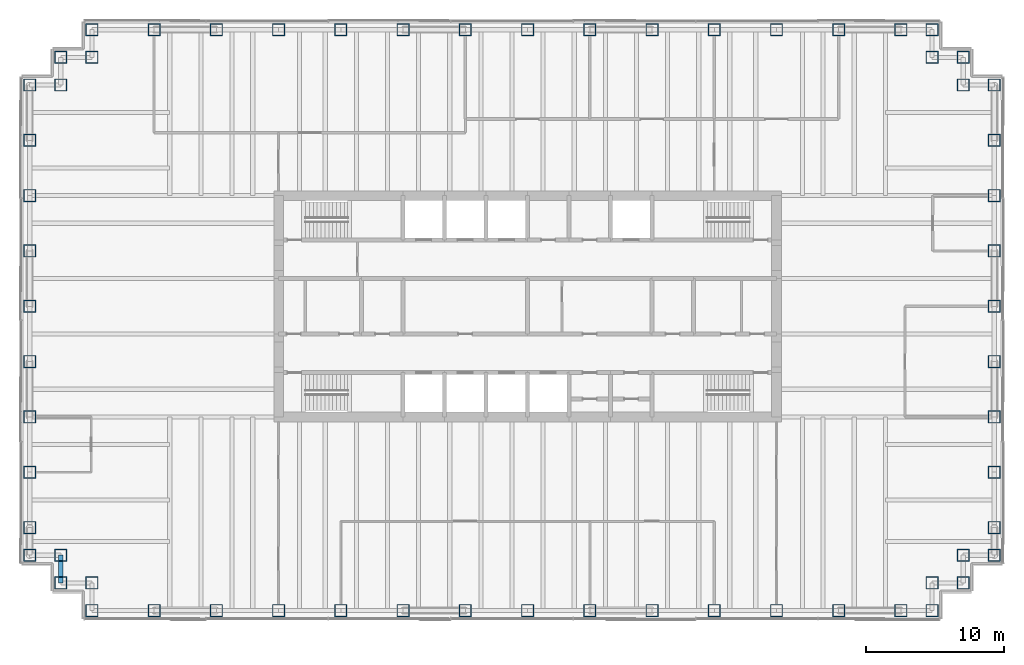
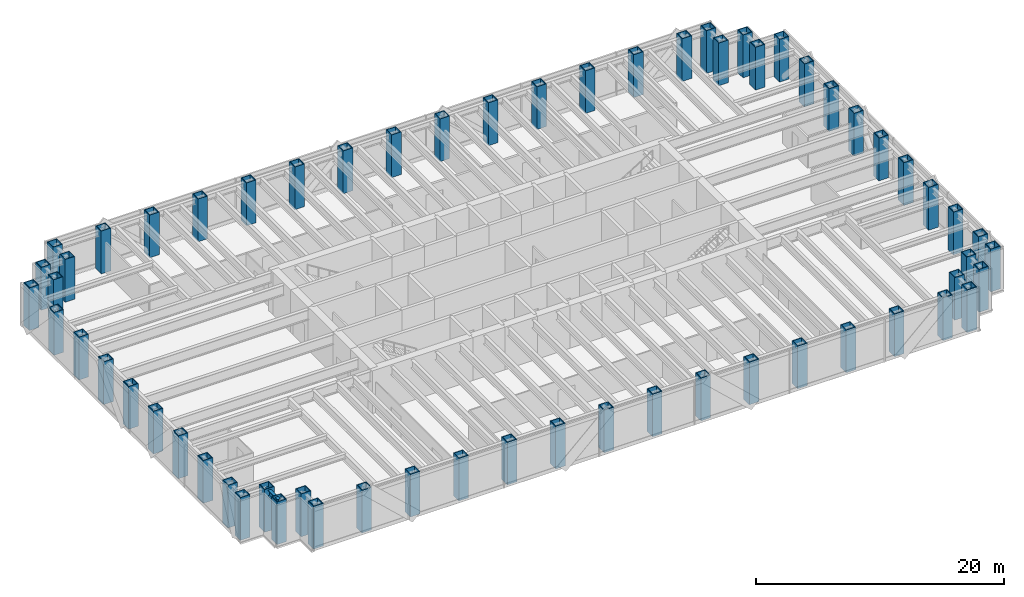
# One storey, part 1 of 15: 62 columns, 1 beam.
"""IFC4 building model written with IfcOpenShell, lengths in metres."""

from ifc_helpers import new_model, si_unit, direction, frame, origin, origin_2d, place, context, subcontext, project, spatial, hollow_rectangle, i_section, extrude, material, material_profile, profile_set, type_object, element, save


model = new_model("IFC4")

# Units and contexts
model_context = context("Model", 3, precision=1e-05, world=origin(), true_north=direction((0.0, 1.0)))
body_context = subcontext(model_context, "Body", "Model", "MODEL_VIEW")
ifc_project = project(units=[si_unit("LENGTHUNIT", "METRE"), si_unit("AREAUNIT", "SQUARE_METRE"), si_unit("VOLUMEUNIT", "CUBIC_METRE"), si_unit("PLANEANGLEUNIT", "RADIAN"), si_unit("MASSUNIT", "GRAM", prefix="KILO")], contexts=[model_context])

# Site, building, storey
site_placement = place(None, origin())
site = spatial("IfcSite", under=ifc_project, at=site_placement, CompositionType="ELEMENT")
building_placement = place(site_placement, origin())
building = spatial("IfcBuilding", under=site, at=building_placement, Name="Rheinbord Bourse Tower", CompositionType="ELEMENT")
storey_placement = place(building_placement, frame((0.0, 0.0, 296.300048828125)))
storey = spatial("IfcBuildingStorey", under=building, at=storey_placement, Name="L67", CompositionType="ELEMENT", Elevation=296.300048828125)

# Columns
ifc_material_1 = material(Name="Steel S460M", Category="steel")
ifc_material_profile_1 = material_profile(ifc_material_1, hollow_rectangle(XDim=0.89990234375, YDim=0.89990234375, WallThickness=0.06005859375, at=origin_2d()), Name="BOX 900x900x60")
ifc_profile_set_1 = profile_set([ifc_material_profile_1], Name="Steel S460M")
column_type = type_object("IfcColumnType", Name="TUBE COLUMN BOX 900x900x60", PredefinedType="COLUMN", material=ifc_profile_set_1)
for number, where, z_axis, x_axis, name in (
    (1, (4.5, 2.0, 0.0), (0.0, 0.0, 1.0), (0.0, 1.0, 0.0), "Column SW-E L67"),
    (2, (9.0, 2.0, 0.0), (0.0, 0.0, 1.0), (0.0, 1.0, 0.0), "Column S-9 L67"),
    (3, (13.5, 2.0, 0.0), (0.0, 0.0, 1.0), (0.0, 1.0, 0.0), "Column S-13.5 L67"),
    (4, (18.0, 2.0, 0.0), (0.0, 0.0, 1.0), (0.0, 1.0, 0.0), "Column S-18 L67"),
    (5, (22.5, 2.0, 0.0), (0.0, 0.0, 1.0), (0.0, 1.0, 0.0), "Column S-22.5 L67"),
    (6, (27.0, 2.0, 0.0), (0.0, 0.0, 1.0), (0.0, 1.0, 0.0), "Column S-27 L67"),
    (7, (31.5, 2.0, 0.0), (0.0, 0.0, 1.0), (0.0, 1.0, 0.0), "Column S-31.5 L67"),
    (8, (36.0, 2.0, 0.0), (0.0, 0.0, 1.0), (0.0, 1.0, 0.0), "Column S-36 L67"),
    (9, (40.5, 2.0, 0.0), (0.0, 0.0, 1.0), (0.0, 1.0, 0.0), "Column S-40.5 L67"),
    (10, (45.0, 2.0, 0.0), (0.0, 0.0, 1.0), (0.0, 1.0, 0.0), "Column S-45 L67"),
    (11, (49.5, 2.0, 0.0), (0.0, 0.0, 1.0), (0.0, 1.0, 0.0), "Column S-49.5 L67"),
    (12, (54.0, 2.0, 0.0), (0.0, 0.0, 1.0), (0.0, 1.0, 0.0), "Column S-54 L67"),
    (13, (58.5, 2.0, 0.0), (0.0, 0.0, 1.0), (0.0, 1.0, 0.0), "Column S-58.5 L67"),
    (14, (63.0, 2.0, 0.0), (0.0, 0.0, 1.0), (0.0, 1.0, 0.0), "Column S-63 L67"),
    (15, (65.25, 2.0, 0.0), (0.0, 0.0, 1.0), (0.0, 1.0, 0.0), "Column SE-E L67"),
    (16, (65.25, 4.0, 0.0), (0.0, 0.0, 1.0), (0.0, 1.0, 0.0), "Column SE-D L67"),
    (17, (67.5, 4.0, 0.0), (0.0, 0.0, 1.0), (1.0, 0.0, 0.0), "Column SE-C L67"),
    (18, (67.5, 6.0, 0.0), (0.0, 0.0, 1.0), (1.0, 0.0, 0.0), "Column SE-B L67"),
    (19, (69.75, 6.0, 0.0), (0.0, 0.0, 1.0), (1.0, 0.0, 0.0), "Column SE-A L67"),
    (20, (69.75, 8.0, 0.0), (0.0, 0.0, 1.0), (1.0, 0.0, 0.0), "Column E-8 L67"),
    (21, (69.75, 12.0, 0.0), (0.0, 0.0, 1.0), (1.0, 0.0, 0.0), "Column E-12 L67"),
    (22, (69.75, 16.0, 0.0), (0.0, 0.0, 1.0), (1.0, 0.0, 0.0), "Column E-16 L67"),
    (23, (69.75, 20.0, 0.0), (0.0, 0.0, 1.0), (1.0, 0.0, 0.0), "Column E-20 L67"),
    (24, (69.75, 24.0, 0.0), (0.0, 0.0, 1.0), (1.0, 0.0, 0.0), "Column E-24 L67"),
    (25, (69.75, 28.0, 0.0), (0.0, 0.0, 1.0), (1.0, 0.0, 0.0), "Column E-28 L67"),
    (26, (69.75, 32.0, 0.0), (0.0, 0.0, 1.0), (1.0, 0.0, 0.0), "Column E-32 L67"),
    (27, (69.75, 36.0, 0.0), (0.0, 0.0, 1.0), (1.0, 0.0, 0.0), "Column E-36 L67"),
    (28, (69.75, 40.0, 0.0), (0.0, 0.0, 1.0), (1.0, 0.0, 0.0), "Column NE-A L67"),
    (29, (67.5, 40.0, 0.0), (0.0, 0.0, 1.0), (1.0, 0.0, 0.0), "Column NE-B L67"),
    (30, (67.5, 42.0, 0.0), (0.0, 0.0, 1.0), (1.0, 0.0, 0.0), "Column NE-C L67"),
    (31, (65.25, 42.0, 0.0), (0.0, 0.0, 1.0), (0.0, 1.0, 0.0), "Column NE-D L67"),
    (32, (65.25, 44.0, 0.0), (0.0, 0.0, 1.0), (0.0, 1.0, 0.0), "Column NE-E L67"),
    (33, (63.0, 44.0, 0.0), (0.0, 0.0, 1.0), (0.0, 1.0, 0.0), "Column N-63 L67"),
    (34, (58.5, 44.0, 0.0), (0.0, 0.0, 1.0), (0.0, 1.0, 0.0), "Column N-58.5 L67"),
    (35, (54.0, 44.0, 0.0), (0.0, 0.0, 1.0), (0.0, 1.0, 0.0), "Column N-54 L67"),
    (36, (49.5, 44.0, 0.0), (0.0, 0.0, 1.0), (0.0, 1.0, 0.0), "Column N-49.5 L67"),
    (37, (45.0, 44.0, 0.0), (0.0, 0.0, 1.0), (0.0, 1.0, 0.0), "Column N-45 L67"),
    (38, (40.5, 44.0, 0.0), (0.0, 0.0, 1.0), (0.0, 1.0, 0.0), "Column N-40.5 L67"),
    (39, (36.0, 44.0, 0.0), (0.0, 0.0, 1.0), (0.0, 1.0, 0.0), "Column N-36 L67"),
    (40, (31.5, 44.0, 0.0), (0.0, 0.0, 1.0), (0.0, 1.0, 0.0), "Column N-31.5 L67"),
    (41, (27.0, 44.0, 0.0), (0.0, 0.0, 1.0), (0.0, 1.0, 0.0), "Column N-27 L67"),
    (42, (22.5, 44.0, 0.0), (0.0, 0.0, 1.0), (0.0, 1.0, 0.0), "Column N-22.5 L67"),
    (43, (18.0, 44.0, 0.0), (0.0, 0.0, 1.0), (0.0, 1.0, 0.0), "Column N-18 L67"),
    (44, (13.5, 44.0, 0.0), (0.0, 0.0, 1.0), (0.0, 1.0, 0.0), "Column N-13.5 L67"),
    (45, (9.0, 44.0, 0.0), (0.0, 0.0, 1.0), (0.0, 1.0, 0.0), "Column N-9 L67"),
    (46, (4.5, 44.0, 0.0), (0.0, 0.0, 1.0), (0.0, 1.0, 0.0), "Column NW-E L67"),
    (47, (4.5, 42.0, 0.0), (0.0, 0.0, 1.0), (0.0, 1.0, 0.0), "Column NW-D L67"),
    (48, (2.25, 42.0, 0.0), (0.0, 0.0, 1.0), (1.0, 0.0, 0.0), "Column NW-C L67"),
    (49, (2.25, 40.0, 0.0), (0.0, 0.0, 1.0), (1.0, 0.0, 0.0), "Column NW-B L67"),
    (50, (0.0, 40.0, 0.0), (0.0, 0.0, 1.0), (1.0, 0.0, 0.0), "Column NW-A L67"),
    (51, (0.0, 36.0, 0.0), (0.0, 0.0, 1.0), (1.0, 0.0, 0.0), "Column W-36 L67"),
    (52, (0.0, 32.0, 0.0), (0.0, 0.0, 1.0), (1.0, 0.0, 0.0), "Column W-32 L67"),
    (53, (0.0, 28.0, 0.0), (0.0, 0.0, 1.0), (1.0, 0.0, 0.0), "Column W-28 L67"),
    (54, (0.0, 24.0, 0.0), (0.0, 0.0, 1.0), (1.0, 0.0, 0.0), "Column W-24 L67"),
    (55, (0.0, 20.0, 0.0), (0.0, 0.0, 1.0), (1.0, 0.0, 0.0), "Column W-20 L67"),
    (56, (0.0, 16.0, 0.0), (0.0, 0.0, 1.0), (1.0, 0.0, 0.0), "Column W-16 L67"),
    (57, (0.0, 12.0, 0.0), (0.0, 0.0, 1.0), (1.0, 0.0, 0.0), "Column W-12 L67"),
    (58, (0.0, 8.0, 0.0), (0.0, 0.0, 1.0), (1.0, 0.0, 0.0), "Column W-8 L67"),
    (59, (0.0, 6.0, 0.0), (0.0, 0.0, 1.0), (1.0, 0.0, 0.0), "Column SW-A L67"),
    (60, (2.25, 6.0, 0.0), (0.0, 0.0, 1.0), (1.0, 0.0, 0.0), "Column SW-B L67"),
    (61, (2.25, 4.0, 0.0), (0.0, 0.0, 1.0), (1.0, 0.0, 0.0), "Column SW-C L67"),
    (62, (4.5, 4.0, 0.0), (0.0, 0.0, 1.0), (0.0, 1.0, 0.0), "Column SW-D L67"),
):
    element("IfcColumn", number, at=place(storey_placement, frame(where, z_axis=z_axis, x_axis=x_axis)), inside=storey, type_object=column_type, Name=name, PredefinedType="COLUMN", context=body_context, shape_type="SweptSolid", body=[
        extrude(hollow_rectangle(XDim=0.89990234375, YDim=0.89990234375, WallThickness=0.06005859375, at=origin_2d()), origin(), (0.0, 0.0, 1.0), 4.199951171875),
    ])

# Beam
ifc_material_2 = material(Name="Steel S460", Category="steel")
ifc_material_profile_2 = material_profile(ifc_material_2, i_section(OverallWidth=0.300048828125, OverallDepth=0.550048828125, WebThickness=0.014892578125, FlangeThickness=0.029052734375, at=origin_2d()), Name="HEB 550")
ifc_profile_set_2 = profile_set([ifc_material_profile_2], Name="Steel S460")
beam_type = type_object("IfcBeamType", Name="SPANDREL HEB 550", PredefinedType="SPANDREL", material=ifc_profile_set_2)
beam_placement = place(storey_placement, frame((2.25, 6.0, 3.764892578125), z_axis=(0.0, -1.0, 0.0), x_axis=(1.0, 0.0, 0.0)))
element("IfcBeam", 63, at=beam_placement, inside=storey, type_object=beam_type, Name="Spandrel SW-B-SW-C under L68", PredefinedType="SPANDREL", context=body_context, shape_type="SweptSolid", body=[
    extrude(i_section(OverallWidth=0.300048828125, OverallDepth=0.550048828125, WebThickness=0.014892578125, FlangeThickness=0.029052734375, at=origin_2d()), origin(), (0.0, 0.0, 1.0), 2.0),
])

save(model, "model.ifc")
